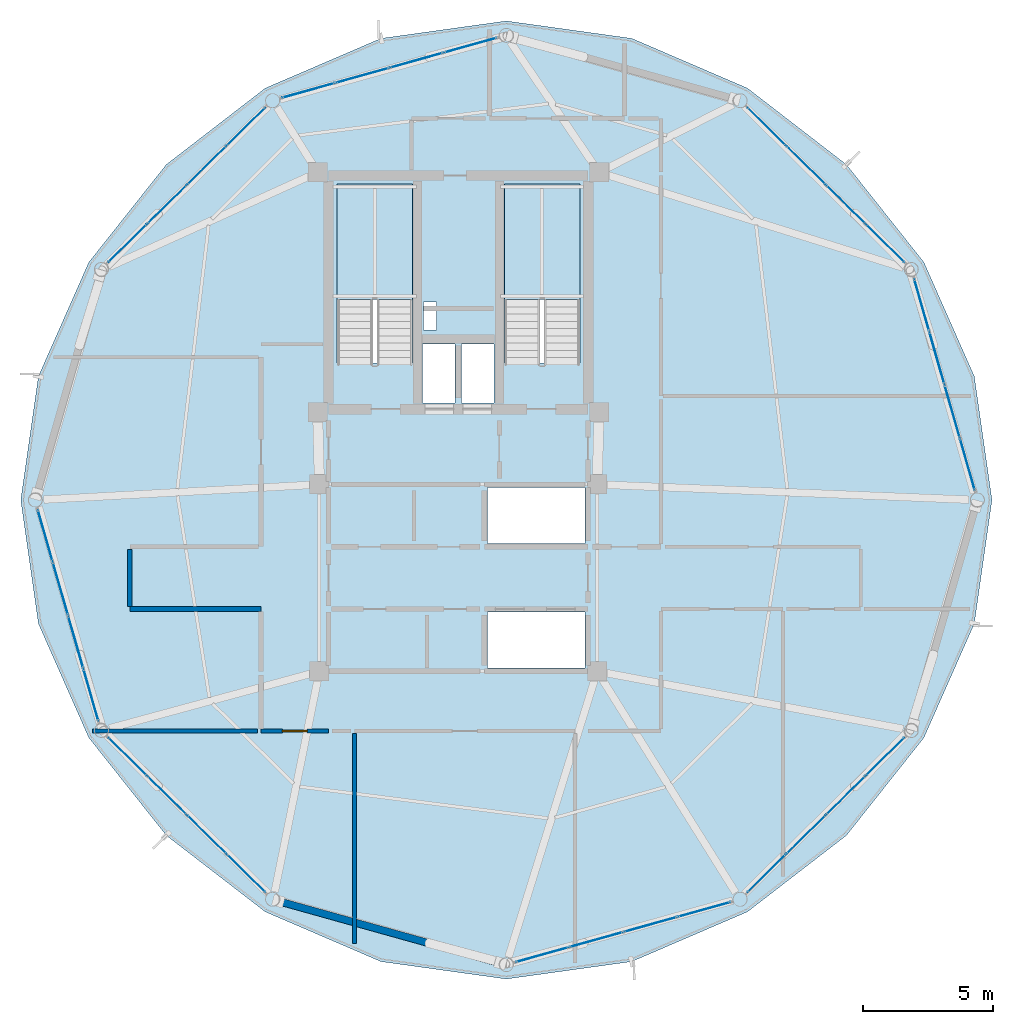
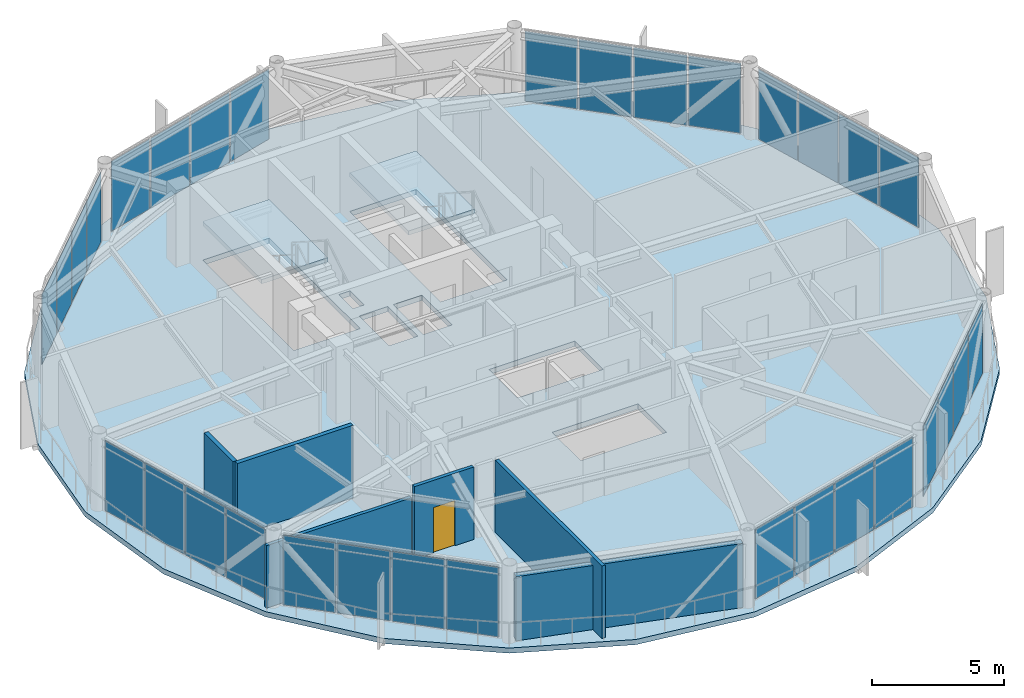
# One storey, part 20 of 26: 32 plates, 6 walls, 3 slabs, 1 door, 1 opening, 10 elements without a shape of their own.
"""IFC4 building model written with IfcOpenShell, lengths in metres."""

from ifc_helpers import new_model, si_unit, direction, frame, frame_2d, origin, origin_2d, place, context, subcontext, project, spatial, polyline, rectangle, outline, extrude, source, transform, mapped, material, layer, layer_set, type_object, type_shapes, element, fill, aggregate, save


model = new_model("IFC4")

# Units and contexts
model_context = context("Model", 3, precision=1e-05, world=origin(), true_north=direction((0.0, 1.0)))
body_context = subcontext(model_context, "Body", "Model", "MODEL_VIEW")
ifc_project = project(units=[si_unit("LENGTHUNIT", "METRE"), si_unit("AREAUNIT", "SQUARE_METRE"), si_unit("VOLUMEUNIT", "CUBIC_METRE"), si_unit("PLANEANGLEUNIT", "RADIAN"), si_unit("MASSUNIT", "GRAM", prefix="KILO")], contexts=[model_context])

# Site, building, storey
site_placement = place(None, origin())
site = spatial("IfcSite", under=ifc_project, at=site_placement, CompositionType="ELEMENT")
building_placement = place(site_placement, origin())
building = spatial("IfcBuilding", under=site, at=building_placement, Name="Varnakorn Sky Granary", CompositionType="ELEMENT")
storey_placement = place(building_placement, frame((0.0, 0.0, 267.0)))
storey = spatial("IfcBuildingStorey", under=building, at=storey_placement, Name="L68", CompositionType="ELEMENT", Elevation=267.0)

# Stair, slab
ifc_material_1 = material(Name="Concrete C40/50", Category="concrete")
stair_type = type_object("IfcStairType", Name="ST-MAIN-ASSEMBLY", PredefinedType="HALF_TURN_STAIR", material=ifc_material_1)
stair_1_placement = place(storey_placement, origin())
stair_1 = element("IfcStair", 1, at=stair_1_placement, inside=storey, type_object=stair_type, Name="L68 Protected Exit Stair ST-1", PredefinedType="HALF_TURN_STAIR")
ifc_layer_1 = layer(ifc_material_1, 0.199951171875, Name="Concrete C40/50")
ifc_layer_set_1 = layer_set([ifc_layer_1], Name="Concrete C40/50")
slab_type_1 = type_object("IfcSlabType", Name="ST-MAIN-LAND", PredefinedType="LANDING", material=ifc_layer_set_1)
slab_1_placement = place(storey_placement, frame((0.0, 0.0, 1.60009765625)))
slab_1 = element("IfcSlab", 2, at=slab_1_placement, type_object=slab_type_1, Name="ST-1 landing 1", PredefinedType="LANDING", context=body_context, shape_type="SweptSolid", body=[
    extrude(outline(polyline([(1.239990234375, 7.719970703125), (1.239990234375, 12.179931640625), (-1.669921875, 12.179931640625), (-1.669921875, 7.719970703125), (1.239990234375, 7.719970703125)])), origin(), (0.0, 0.0, 1.0), 0.199951171875),
])
aggregate(stair_1, [slab_1])

stair_2_placement = place(storey_placement, origin())
stair_2 = element("IfcStair", 3, at=stair_2_placement, inside=storey, type_object=stair_type, Name="L68 Protected Exit Stair ST-2", PredefinedType="HALF_TURN_STAIR")
slab_2_placement = place(storey_placement, frame((0.0, 0.0, 1.60009765625)))
slab_2 = element("IfcSlab", 4, at=slab_2_placement, type_object=slab_type_1, Name="ST-2 landing 1", PredefinedType="LANDING", context=body_context, shape_type="SweptSolid", body=[
    extrude(outline(polyline([(7.679931640625, 7.719970703125), (7.679931640625, 12.179931640625), (4.77001953125, 12.179931640625), (4.77001953125, 7.719970703125), (7.679931640625, 7.719970703125)])), origin(), (0.0, 0.0, 1.0), 0.199951171875),
])
aggregate(stair_2, [slab_2])

# Slab
ifc_material_2 = material(Name="Concrete C50/60", Category="concrete")
ifc_layer_2 = layer(ifc_material_2, 0.239990234375, Name="Concrete C50/60")
ifc_layer_set_2 = layer_set([ifc_layer_2], Name="Concrete C50/60")
slab_type_2 = type_object("IfcSlabType", Name="ST-SL-TWR-240", PredefinedType="FLOOR", material=ifc_layer_set_2)
slab_3_placement = place(storey_placement, frame((0.0, 0.0, -0.239990234375)))
element("IfcSlab", 5, at=slab_3_placement, inside=storey, type_object=slab_type_2, Name="Level L68 Structural Floor Slab", PredefinedType="FLOOR", context=body_context, shape_type="SweptSolid", body=[
    extrude(outline(polyline([(23.555908203125, 0.0), (22.875, 4.764404296875), (20.93310546875, 9.158935546875), (17.949951171875, 12.9208984375), (14.135498046875, 15.864013671875), (9.6796875, 17.78076171875), (4.85009765625, 18.452880859375), (0.020263671875, 17.78076171875), (-4.435546875, 15.864013671875), (-8.25, 12.9208984375), (-11.23291015625, 9.158935546875), (-13.175048828125, 4.764404296875), (-13.85595703125, 0.0), (-13.175048828125, -4.764404296875), (-11.23291015625, -9.158935546875), (-8.25, -12.9208984375), (-4.435546875, -15.864013671875), (0.020263671875, -17.78076171875), (4.85009765625, -18.452880859375), (9.6796875, -17.78076171875), (14.135498046875, -15.864013671875), (17.949951171875, -12.9208984375), (20.93310546875, -9.158935546875), (22.875, -4.764404296875), (23.555908203125, 0.0)]), holes=[polyline([(1.239990234375, 5.27490234375), (1.239990234375, 12.179931640625), (-1.669921875, 12.179931640625), (-1.669921875, 5.27490234375), (1.239990234375, 5.27490234375)]), polyline([(7.679931640625, 5.27490234375), (7.679931640625, 12.179931640625), (4.77001953125, 12.179931640625), (4.77001953125, 5.27490234375), (7.679931640625, 5.27490234375)]), polyline([(1.659912109375, 6.550048828125), (2.14990234375, 6.550048828125), (2.14990234375, 7.6201171875), (1.659912109375, 7.6201171875), (1.659912109375, 6.550048828125)]), polyline([(1.6201171875, 3.739990234375), (2.8798828125, 3.739990234375), (2.8798828125, 6.010009765625), (1.6201171875, 6.010009765625), (1.6201171875, 3.739990234375)]), polyline([(3.1201171875, 3.739990234375), (4.3798828125, 3.739990234375), (4.3798828125, 6.010009765625), (3.1201171875, 6.010009765625), (3.1201171875, 3.739990234375)]), polyline([(4.1201171875, -1.679931640625), (7.8798828125, -1.679931640625), (7.8798828125, 0.47998046875), (4.1201171875, 0.47998046875), (4.1201171875, -1.679931640625)]), polyline([(4.1201171875, -6.47998046875), (7.8798828125, -6.47998046875), (7.8798828125, -4.320068359375), (4.1201171875, -4.320068359375), (4.1201171875, -6.47998046875)])]), origin(), (0.0, 0.0, 1.0), 0.239990234375),
])

# Curtain wall, plates
ifc_material_3 = material(Name="Anodised Bronze Aluminium Alloy 6063-T6", Category="aluminium")
ifc_layer_3 = layer(ifc_material_3, 0.159912109375, Name="Anodised Bronze Aluminium Alloy 6063-T6")
ifc_layer_set_3 = layer_set([ifc_layer_3], Name="Anodised Bronze Aluminium Alloy 6063-T6")
curtain_wall_type = type_object("IfcCurtainWallType", Name="CW-OFF-1", PredefinedType="USERDEFINED", material=ifc_layer_set_3)
curtain_wall_1_placement = place(storey_placement, origin())
curtain_wall_1 = element("IfcCurtainWall", 6, at=curtain_wall_1_placement, inside=storey, type_object=curtain_wall_type, Name="Unitised Curtain Wall CW6 CW-L68-B04", ObjectType="CURTAIN WALL", PredefinedType="USERDEFINED")
ifc_material_4 = material(Name="Low-E Tinted Laminated Glass", Category="glass")
ifc_layer_4 = layer(ifc_material_4, 0.02392578125, Name="Low-E Tinted Laminated Glass")
ifc_layer_set_4 = layer_set([ifc_layer_4], Name="Low-E Tinted Laminated Glass")
plate_type = type_object("IfcPlateType", Name="CW-OFF-1-PNL", PredefinedType="CURTAIN_PANEL")
shared_shape_1 = source(origin(), body_context, "Body", "SweptSolid", [
    extrude(rectangle(XDim=2.071533203125, YDim=0.02392578125, at=origin_2d()), origin(), (0.0, 0.0, 1.0), 3.22998046875),
])
plate_1_placement = place(storey_placement, frame((-2.773193359375, 15.77490234375, 0.06494140625), z_axis=(0.0, 0.0, 1.0), x_axis=(0.963170827596, 0.268890232006, 0.0)))
plate_1 = element("IfcPlate", 7, at=plate_1_placement, type_object=plate_type, material=ifc_layer_set_4, Name="CW6 vision glazing unit 1.1", PredefinedType="CURTAIN_PANEL", context=body_context, shape_type="MappedRepresentation", body=[
    mapped(shared_shape_1, transform((0.0, 0.0, 0.0), x_axis=(1.0, 0.0, 0.0), y_axis=(0.0, 1.0, 0.0), z_axis=(0.0, 0.0, 1.0), scale=1.0)),
])
ifc_material_5 = material(Name="Opaque Insulated Aluminium Shadow-Box Unit", Category="aluminium")
ifc_layer_5 = layer(ifc_material_5, 0.02392578125, Name="Opaque Insulated Aluminium Shadow-Box Unit")
ifc_layer_set_5 = layer_set([ifc_layer_5], Name="Opaque Insulated Aluminium Shadow-Box Unit")
plate_2_placement = place(storey_placement, frame((3.462890625, 17.515625, 0.06494140625), z_axis=(0.0, 0.0, 1.0), x_axis=(0.963170827596, 0.268890232006, 0.0)))
plate_2 = element("IfcPlate", 8, at=plate_2_placement, type_object=plate_type, material=ifc_layer_set_5, Name="CW6 opaque insulated shadow-box unit 4.1", PredefinedType="CURTAIN_PANEL", context=body_context, shape_type="MappedRepresentation", body=[
    mapped(shared_shape_1, transform((0.0, 0.0, 0.0), x_axis=(1.0, 0.0, 0.0), y_axis=(0.0, 1.0, 0.0), z_axis=(0.0, 0.0, 1.0), scale=1.0)),
])

curtain_wall_2_placement = place(storey_placement, origin())
curtain_wall_2 = element("IfcCurtainWall", 9, at=curtain_wall_2_placement, inside=storey, type_object=curtain_wall_type, Name="Unitised Curtain Wall CW6 CW-L68-B10", ObjectType="CURTAIN WALL", PredefinedType="USERDEFINED")
plate_3_placement = place(storey_placement, frame((12.473388671875, -15.77490234375, 0.06494140625), z_axis=(0.0, 0.0, 1.0), x_axis=(-0.963170827596, -0.268890232006, 0.0)))
plate_3 = element("IfcPlate", 10, at=plate_3_placement, type_object=plate_type, material=ifc_layer_set_4, Name="CW6 vision glazing unit 1.1", PredefinedType="CURTAIN_PANEL", context=body_context, shape_type="MappedRepresentation", body=[
    mapped(shared_shape_1, transform((0.0, 0.0, 0.0), x_axis=(1.0, 0.0, 0.0), y_axis=(0.0, 1.0, 0.0), z_axis=(0.0, 0.0, 1.0), scale=1.0)),
])
plate_4_placement = place(storey_placement, frame((6.2373046875, -17.515625, 0.06494140625), z_axis=(0.0, 0.0, 1.0), x_axis=(-0.963170827596, -0.268890232006, 0.0)))
plate_4 = element("IfcPlate", 11, at=plate_4_placement, type_object=plate_type, material=ifc_layer_set_5, Name="CW6 opaque insulated shadow-box unit 4.1", PredefinedType="CURTAIN_PANEL", context=body_context, shape_type="MappedRepresentation", body=[
    mapped(shared_shape_1, transform((0.0, 0.0, 0.0), x_axis=(1.0, 0.0, 0.0), y_axis=(0.0, 1.0, 0.0), z_axis=(0.0, 0.0, 1.0), scale=1.0)),
])

# Plate
shared_shape_2 = source(origin(), body_context, "Body", "SweptSolid", [
    extrude(rectangle(XDim=2.10400390625, YDim=0.02392578125, at=origin_2d()), origin(), (0.0, 0.0, 1.0), 3.22998046875),
])
plate_5_placement = place(storey_placement, frame((-0.69970703125, 16.353515625, 0.06494140625), z_axis=(0.0, 0.0, 1.0), x_axis=(0.963170827596, 0.268890232006, 0.0)))
plate_5 = element("IfcPlate", 12, at=plate_5_placement, type_object=plate_type, material=ifc_layer_set_4, Name="CW6 vision glazing unit 2.1", PredefinedType="CURTAIN_PANEL", context=body_context, shape_type="MappedRepresentation", body=[
    mapped(shared_shape_2, transform((0.0, 0.0, 0.0), x_axis=(1.0, 0.0, 0.0), y_axis=(0.0, 1.0, 0.0), z_axis=(0.0, 0.0, 1.0), scale=1.0)),
])

plate_6_placement = place(storey_placement, frame((1.389404296875, 16.936767578125, 0.06494140625), z_axis=(0.0, 0.0, 1.0), x_axis=(0.963170827596, 0.268890232006, 0.0)))
plate_6 = element("IfcPlate", 13, at=plate_6_placement, type_object=plate_type, material=ifc_layer_set_5, Name="CW6 opaque insulated shadow-box unit 3.1", PredefinedType="CURTAIN_PANEL", context=body_context, shape_type="MappedRepresentation", body=[
    mapped(shared_shape_2, transform((0.0, 0.0, 0.0), x_axis=(1.0, 0.0, 0.0), y_axis=(0.0, 1.0, 0.0), z_axis=(0.0, 0.0, 1.0), scale=1.0)),
])

aggregate(curtain_wall_1, [plate_1, plate_5, plate_6, plate_2])

plate_7_placement = place(storey_placement, frame((10.39990234375, -16.353515625, 0.06494140625), z_axis=(0.0, 0.0, 1.0), x_axis=(-0.963170827596, -0.268890232006, 0.0)))
plate_7 = element("IfcPlate", 14, at=plate_7_placement, type_object=plate_type, material=ifc_layer_set_4, Name="CW6 vision glazing unit 2.1", PredefinedType="CURTAIN_PANEL", context=body_context, shape_type="MappedRepresentation", body=[
    mapped(shared_shape_2, transform((0.0, 0.0, 0.0), x_axis=(1.0, 0.0, 0.0), y_axis=(0.0, 1.0, 0.0), z_axis=(0.0, 0.0, 1.0), scale=1.0)),
])

plate_8_placement = place(storey_placement, frame((8.310791015625, -16.936767578125, 0.06494140625), z_axis=(0.0, 0.0, 1.0), x_axis=(-0.963170827596, -0.268890232006, 0.0)))
plate_8 = element("IfcPlate", 15, at=plate_8_placement, type_object=plate_type, material=ifc_layer_set_5, Name="CW6 opaque insulated shadow-box unit 3.1", PredefinedType="CURTAIN_PANEL", context=body_context, shape_type="MappedRepresentation", body=[
    mapped(shared_shape_2, transform((0.0, 0.0, 0.0), x_axis=(1.0, 0.0, 0.0), y_axis=(0.0, 1.0, 0.0), z_axis=(0.0, 0.0, 1.0), scale=1.0)),
])

aggregate(curtain_wall_2, [plate_3, plate_7, plate_8, plate_4])

# Curtain wall, plates
curtain_wall_3_placement = place(storey_placement, origin())
curtain_wall_3 = element("IfcCurtainWall", 16, at=curtain_wall_3_placement, inside=storey, type_object=curtain_wall_type, Name="Unitised Curtain Wall CW6 CW-L68-B01", ObjectType="CURTAIN WALL", PredefinedType="USERDEFINED")
shared_shape_3 = source(origin(), body_context, "Body", "SweptSolid", [
    extrude(rectangle(XDim=2.04345703125, YDim=0.02392578125, at=origin_2d()), origin(), (0.0, 0.0, 1.0), 3.22998046875),
])
plate_9_placement = place(storey_placement, frame((20.849853515625, 7.51318359375, 0.06494140625), z_axis=(0.0, 0.0, 1.0), x_axis=(0.275840638274, -0.961203382368, 0.0)))
plate_9 = element("IfcPlate", 17, at=plate_9_placement, type_object=plate_type, material=ifc_layer_set_5, Name="CW6 opaque insulated shadow-box unit 1.1", PredefinedType="CURTAIN_PANEL", context=body_context, shape_type="MappedRepresentation", body=[
    mapped(shared_shape_3, transform((0.0, 0.0, 0.0), x_axis=(1.0, 0.0, 0.0), y_axis=(0.0, 1.0, 0.0), z_axis=(0.0, 0.0, 1.0), scale=1.0)),
])
plate_10_placement = place(storey_placement, frame((22.612548828125, 1.370849609375, 0.06494140625), z_axis=(0.0, 0.0, 1.0), x_axis=(0.275840638274, -0.961203382368, 0.0)))
plate_10 = element("IfcPlate", 18, at=plate_10_placement, type_object=plate_type, material=ifc_layer_set_4, Name="CW6 vision glazing unit 4.1", PredefinedType="CURTAIN_PANEL", context=body_context, shape_type="MappedRepresentation", body=[
    mapped(shared_shape_3, transform((0.0, 0.0, 0.0), x_axis=(1.0, 0.0, 0.0), y_axis=(0.0, 1.0, 0.0), z_axis=(0.0, 0.0, 1.0), scale=1.0)),
])

curtain_wall_4_placement = place(storey_placement, origin())
curtain_wall_4 = element("IfcCurtainWall", 19, at=curtain_wall_4_placement, inside=storey, type_object=curtain_wall_type, Name="Unitised Curtain Wall CW6 CW-L68-B07", ObjectType="CURTAIN WALL", PredefinedType="USERDEFINED")
plate_11_placement = place(storey_placement, frame((-11.14990234375, -7.51318359375, 0.06494140625), z_axis=(0.0, 0.0, 1.0), x_axis=(-0.275840638274, 0.961203382368, 0.0)))
plate_11 = element("IfcPlate", 20, at=plate_11_placement, type_object=plate_type, material=ifc_layer_set_5, Name="CW6 opaque insulated shadow-box unit 1.1", PredefinedType="CURTAIN_PANEL", context=body_context, shape_type="MappedRepresentation", body=[
    mapped(shared_shape_3, transform((0.0, 0.0, 0.0), x_axis=(1.0, 0.0, 0.0), y_axis=(0.0, 1.0, 0.0), z_axis=(0.0, 0.0, 1.0), scale=1.0)),
])
plate_12_placement = place(storey_placement, frame((-12.91259765625, -1.370849609375, 0.06494140625), z_axis=(0.0, 0.0, 1.0), x_axis=(-0.275840638274, 0.961203382368, 0.0)))
plate_12 = element("IfcPlate", 21, at=plate_12_placement, type_object=plate_type, material=ifc_layer_set_4, Name="CW6 vision glazing unit 4.1", PredefinedType="CURTAIN_PANEL", context=body_context, shape_type="MappedRepresentation", body=[
    mapped(shared_shape_3, transform((0.0, 0.0, 0.0), x_axis=(1.0, 0.0, 0.0), y_axis=(0.0, 1.0, 0.0), z_axis=(0.0, 0.0, 1.0), scale=1.0)),
])

# Plate
shared_shape_4 = source(origin(), body_context, "Body", "SweptSolid", [
    extrude(rectangle(XDim=2.075927734375, YDim=0.02392578125, at=origin_2d()), origin(), (0.0, 0.0, 1.0), 3.22998046875),
])
plate_13_placement = place(storey_placement, frame((21.43603515625, 5.470947265625, 0.06494140625), z_axis=(0.0, 0.0, 1.0), x_axis=(0.275840638274, -0.961203382368, 0.0)))
plate_13 = element("IfcPlate", 22, at=plate_13_placement, type_object=plate_type, material=ifc_layer_set_5, Name="CW6 opaque insulated shadow-box unit 2.1", PredefinedType="CURTAIN_PANEL", context=body_context, shape_type="MappedRepresentation", body=[
    mapped(shared_shape_4, transform((0.0, 0.0, 0.0), x_axis=(1.0, 0.0, 0.0), y_axis=(0.0, 1.0, 0.0), z_axis=(0.0, 0.0, 1.0), scale=1.0)),
])

plate_14_placement = place(storey_placement, frame((22.026611328125, 3.4130859375, 0.06494140625), z_axis=(0.0, 0.0, 1.0), x_axis=(0.275840638274, -0.961203382368, 0.0)))
plate_14 = element("IfcPlate", 23, at=plate_14_placement, type_object=plate_type, material=ifc_layer_set_4, Name="CW6 vision glazing unit 3.1", PredefinedType="CURTAIN_PANEL", context=body_context, shape_type="MappedRepresentation", body=[
    mapped(shared_shape_4, transform((0.0, 0.0, 0.0), x_axis=(1.0, 0.0, 0.0), y_axis=(0.0, 1.0, 0.0), z_axis=(0.0, 0.0, 1.0), scale=1.0)),
])

aggregate(curtain_wall_3, [plate_9, plate_13, plate_14, plate_10])

plate_15_placement = place(storey_placement, frame((-11.736083984375, -5.470947265625, 0.06494140625), z_axis=(0.0, 0.0, 1.0), x_axis=(-0.275840638274, 0.961203382368, 0.0)))
plate_15 = element("IfcPlate", 24, at=plate_15_placement, type_object=plate_type, material=ifc_layer_set_5, Name="CW6 opaque insulated shadow-box unit 2.1", PredefinedType="CURTAIN_PANEL", context=body_context, shape_type="MappedRepresentation", body=[
    mapped(shared_shape_4, transform((0.0, 0.0, 0.0), x_axis=(1.0, 0.0, 0.0), y_axis=(0.0, 1.0, 0.0), z_axis=(0.0, 0.0, 1.0), scale=1.0)),
])

plate_16_placement = place(storey_placement, frame((-12.32666015625, -3.4130859375, 0.06494140625), z_axis=(0.0, 0.0, 1.0), x_axis=(-0.275840638274, 0.961203382368, 0.0)))
plate_16 = element("IfcPlate", 25, at=plate_16_placement, type_object=plate_type, material=ifc_layer_set_4, Name="CW6 vision glazing unit 3.1", PredefinedType="CURTAIN_PANEL", context=body_context, shape_type="MappedRepresentation", body=[
    mapped(shared_shape_4, transform((0.0, 0.0, 0.0), x_axis=(1.0, 0.0, 0.0), y_axis=(0.0, 1.0, 0.0), z_axis=(0.0, 0.0, 1.0), scale=1.0)),
])

aggregate(curtain_wall_4, [plate_11, plate_15, plate_16, plate_12])

# Curtain wall, plates
curtain_wall_5_placement = place(storey_placement, origin())
curtain_wall_5 = element("IfcCurtainWall", 26, at=curtain_wall_5_placement, inside=storey, type_object=curtain_wall_type, Name="Unitised Curtain Wall CW6 CW-L68-B02", ObjectType="CURTAIN WALL", PredefinedType="USERDEFINED")
shared_shape_5 = source(origin(), body_context, "Body", "SweptSolid", [
    extrude(rectangle(XDim=2.048583984375, YDim=0.02392578125, at=origin_2d()), origin(), (0.0, 0.0, 1.0), 3.22998046875),
])
plate_17_placement = place(storey_placement, frame((14.8779296875, 14.38427734375, 0.06494140625), z_axis=(0.0, 0.0, 1.0), x_axis=(0.71208683319, -0.702091405728, 0.0)))
plate_17 = element("IfcPlate", 27, at=plate_17_placement, type_object=plate_type, material=ifc_layer_set_4, Name="CW6 vision glazing unit 1.1", PredefinedType="CURTAIN_PANEL", context=body_context, shape_type="MappedRepresentation", body=[
    mapped(shared_shape_5, transform((0.0, 0.0, 0.0), x_axis=(1.0, 0.0, 0.0), y_axis=(0.0, 1.0, 0.0), z_axis=(0.0, 0.0, 1.0), scale=1.0)),
])
plate_18_placement = place(storey_placement, frame((19.439208984375, 9.88720703125, 0.06494140625), z_axis=(0.0, 0.0, 1.0), x_axis=(0.71208683319, -0.702091405728, 0.0)))
plate_18 = element("IfcPlate", 28, at=plate_18_placement, type_object=plate_type, material=ifc_layer_set_5, Name="CW6 opaque insulated shadow-box unit 4.1", PredefinedType="CURTAIN_PANEL", context=body_context, shape_type="MappedRepresentation", body=[
    mapped(shared_shape_5, transform((0.0, 0.0, 0.0), x_axis=(1.0, 0.0, 0.0), y_axis=(0.0, 1.0, 0.0), z_axis=(0.0, 0.0, 1.0), scale=1.0)),
])

curtain_wall_6_placement = place(storey_placement, origin())
curtain_wall_6 = element("IfcCurtainWall", 29, at=curtain_wall_6_placement, inside=storey, type_object=curtain_wall_type, Name="Unitised Curtain Wall CW6 CW-L68-B05", ObjectType="CURTAIN WALL", PredefinedType="USERDEFINED")
plate_19_placement = place(storey_placement, frame((-9.7392578125, 9.88720703125, 0.06494140625), z_axis=(0.0, 0.0, 1.0), x_axis=(0.71208683319, 0.702091405728, 0.0)))
plate_19 = element("IfcPlate", 30, at=plate_19_placement, type_object=plate_type, material=ifc_layer_set_5, Name="CW6 opaque insulated shadow-box unit 1.1", PredefinedType="CURTAIN_PANEL", context=body_context, shape_type="MappedRepresentation", body=[
    mapped(shared_shape_5, transform((0.0, 0.0, 0.0), x_axis=(1.0, 0.0, 0.0), y_axis=(0.0, 1.0, 0.0), z_axis=(0.0, 0.0, 1.0), scale=1.0)),
])
plate_20_placement = place(storey_placement, frame((-5.177978515625, 14.38427734375, 0.06494140625), z_axis=(0.0, 0.0, 1.0), x_axis=(0.71208683319, 0.702091405728, 0.0)))
plate_20 = element("IfcPlate", 31, at=plate_20_placement, type_object=plate_type, material=ifc_layer_set_4, Name="CW6 vision glazing unit 4.1", PredefinedType="CURTAIN_PANEL", context=body_context, shape_type="MappedRepresentation", body=[
    mapped(shared_shape_5, transform((0.0, 0.0, 0.0), x_axis=(1.0, 0.0, 0.0), y_axis=(0.0, 1.0, 0.0), z_axis=(0.0, 0.0, 1.0), scale=1.0)),
])

curtain_wall_7_placement = place(storey_placement, origin())
curtain_wall_7 = element("IfcCurtainWall", 32, at=curtain_wall_7_placement, inside=storey, type_object=curtain_wall_type, Name="Unitised Curtain Wall CW6 CW-L68-B08", ObjectType="CURTAIN WALL", PredefinedType="USERDEFINED")
plate_21_placement = place(storey_placement, frame((-5.177978515625, -14.38427734375, 0.06494140625), z_axis=(0.0, 0.0, 1.0), x_axis=(-0.71208683319, 0.702091405728, 0.0)))
plate_21 = element("IfcPlate", 33, at=plate_21_placement, type_object=plate_type, material=ifc_layer_set_4, Name="CW6 vision glazing unit 1.1", PredefinedType="CURTAIN_PANEL", context=body_context, shape_type="MappedRepresentation", body=[
    mapped(shared_shape_5, transform((0.0, 0.0, 0.0), x_axis=(1.0, 0.0, 0.0), y_axis=(0.0, 1.0, 0.0), z_axis=(0.0, 0.0, 1.0), scale=1.0)),
])
plate_22_placement = place(storey_placement, frame((-9.7392578125, -9.88720703125, 0.06494140625), z_axis=(0.0, 0.0, 1.0), x_axis=(-0.71208683319, 0.702091405728, 0.0)))
plate_22 = element("IfcPlate", 34, at=plate_22_placement, type_object=plate_type, material=ifc_layer_set_5, Name="CW6 opaque insulated shadow-box unit 4.1", PredefinedType="CURTAIN_PANEL", context=body_context, shape_type="MappedRepresentation", body=[
    mapped(shared_shape_5, transform((0.0, 0.0, 0.0), x_axis=(1.0, 0.0, 0.0), y_axis=(0.0, 1.0, 0.0), z_axis=(0.0, 0.0, 1.0), scale=1.0)),
])

curtain_wall_8_placement = place(storey_placement, origin())
curtain_wall_8 = element("IfcCurtainWall", 35, at=curtain_wall_8_placement, inside=storey, type_object=curtain_wall_type, Name="Unitised Curtain Wall CW6 CW-L68-B11", ObjectType="CURTAIN WALL", PredefinedType="USERDEFINED")
plate_23_placement = place(storey_placement, frame((19.439208984375, -9.88720703125, 0.06494140625), z_axis=(0.0, 0.0, 1.0), x_axis=(-0.71208683319, -0.702091405728, 0.0)))
plate_23 = element("IfcPlate", 36, at=plate_23_placement, type_object=plate_type, material=ifc_layer_set_5, Name="CW6 opaque insulated shadow-box unit 1.1", PredefinedType="CURTAIN_PANEL", context=body_context, shape_type="MappedRepresentation", body=[
    mapped(shared_shape_5, transform((0.0, 0.0, 0.0), x_axis=(1.0, 0.0, 0.0), y_axis=(0.0, 1.0, 0.0), z_axis=(0.0, 0.0, 1.0), scale=1.0)),
])
plate_24_placement = place(storey_placement, frame((14.8779296875, -14.38427734375, 0.06494140625), z_axis=(0.0, 0.0, 1.0), x_axis=(-0.71208683319, -0.702091405728, 0.0)))
plate_24 = element("IfcPlate", 37, at=plate_24_placement, type_object=plate_type, material=ifc_layer_set_4, Name="CW6 vision glazing unit 4.1", PredefinedType="CURTAIN_PANEL", context=body_context, shape_type="MappedRepresentation", body=[
    mapped(shared_shape_5, transform((0.0, 0.0, 0.0), x_axis=(1.0, 0.0, 0.0), y_axis=(0.0, 1.0, 0.0), z_axis=(0.0, 0.0, 1.0), scale=1.0)),
])

# Plate
shared_shape_6 = source(origin(), body_context, "Body", "SweptSolid", [
    extrude(rectangle(XDim=2.0810546875, YDim=0.02392578125, at=origin_2d()), origin(), (0.0, 0.0, 1.0), 3.22998046875),
])
type_shapes(plate_type, [shared_shape_1, shared_shape_2, shared_shape_3, shared_shape_4, shared_shape_5, shared_shape_6])
plate_25_placement = place(storey_placement, frame((16.39453125, 12.88916015625, 0.06494140625), z_axis=(0.0, 0.0, 1.0), x_axis=(0.71208683319, -0.702091405728, 0.0)))
plate_25 = element("IfcPlate", 38, at=plate_25_placement, type_object=plate_type, material=ifc_layer_set_4, Name="CW6 vision glazing unit 2.1", PredefinedType="CURTAIN_PANEL", context=body_context, shape_type="MappedRepresentation", body=[
    mapped(shared_shape_6, transform((0.0, 0.0, 0.0), x_axis=(1.0, 0.0, 0.0), y_axis=(0.0, 1.0, 0.0), z_axis=(0.0, 0.0, 1.0), scale=1.0)),
])

plate_26_placement = place(storey_placement, frame((17.922607421875, 11.38232421875, 0.06494140625), z_axis=(0.0, 0.0, 1.0), x_axis=(0.71208683319, -0.702091405728, 0.0)))
plate_26 = element("IfcPlate", 39, at=plate_26_placement, type_object=plate_type, material=ifc_layer_set_5, Name="CW6 opaque insulated shadow-box unit 3.1", PredefinedType="CURTAIN_PANEL", context=body_context, shape_type="MappedRepresentation", body=[
    mapped(shared_shape_6, transform((0.0, 0.0, 0.0), x_axis=(1.0, 0.0, 0.0), y_axis=(0.0, 1.0, 0.0), z_axis=(0.0, 0.0, 1.0), scale=1.0)),
])

aggregate(curtain_wall_5, [plate_17, plate_25, plate_26, plate_18])

plate_27_placement = place(storey_placement, frame((-8.22265625, 11.38232421875, 0.06494140625), z_axis=(0.0, 0.0, 1.0), x_axis=(0.71208683319, 0.702091405728, 0.0)))
plate_27 = element("IfcPlate", 40, at=plate_27_placement, type_object=plate_type, material=ifc_layer_set_5, Name="CW6 opaque insulated shadow-box unit 2.1", PredefinedType="CURTAIN_PANEL", context=body_context, shape_type="MappedRepresentation", body=[
    mapped(shared_shape_6, transform((0.0, 0.0, 0.0), x_axis=(1.0, 0.0, 0.0), y_axis=(0.0, 1.0, 0.0), z_axis=(0.0, 0.0, 1.0), scale=1.0)),
])

plate_28_placement = place(storey_placement, frame((-6.694580078125, 12.88916015625, 0.06494140625), z_axis=(0.0, 0.0, 1.0), x_axis=(0.71208683319, 0.702091405728, 0.0)))
plate_28 = element("IfcPlate", 41, at=plate_28_placement, type_object=plate_type, material=ifc_layer_set_4, Name="CW6 vision glazing unit 3.1", PredefinedType="CURTAIN_PANEL", context=body_context, shape_type="MappedRepresentation", body=[
    mapped(shared_shape_6, transform((0.0, 0.0, 0.0), x_axis=(1.0, 0.0, 0.0), y_axis=(0.0, 1.0, 0.0), z_axis=(0.0, 0.0, 1.0), scale=1.0)),
])

aggregate(curtain_wall_6, [plate_19, plate_27, plate_28, plate_20])

plate_29_placement = place(storey_placement, frame((-6.694580078125, -12.88916015625, 0.06494140625), z_axis=(0.0, 0.0, 1.0), x_axis=(-0.71208683319, 0.702091405728, 0.0)))
plate_29 = element("IfcPlate", 42, at=plate_29_placement, type_object=plate_type, material=ifc_layer_set_4, Name="CW6 vision glazing unit 2.1", PredefinedType="CURTAIN_PANEL", context=body_context, shape_type="MappedRepresentation", body=[
    mapped(shared_shape_6, transform((0.0, 0.0, 0.0), x_axis=(1.0, 0.0, 0.0), y_axis=(0.0, 1.0, 0.0), z_axis=(0.0, 0.0, 1.0), scale=1.0)),
])

plate_30_placement = place(storey_placement, frame((-8.22265625, -11.38232421875, 0.06494140625), z_axis=(0.0, 0.0, 1.0), x_axis=(-0.71208683319, 0.702091405728, 0.0)))
plate_30 = element("IfcPlate", 43, at=plate_30_placement, type_object=plate_type, material=ifc_layer_set_5, Name="CW6 opaque insulated shadow-box unit 3.1", PredefinedType="CURTAIN_PANEL", context=body_context, shape_type="MappedRepresentation", body=[
    mapped(shared_shape_6, transform((0.0, 0.0, 0.0), x_axis=(1.0, 0.0, 0.0), y_axis=(0.0, 1.0, 0.0), z_axis=(0.0, 0.0, 1.0), scale=1.0)),
])

aggregate(curtain_wall_7, [plate_21, plate_29, plate_30, plate_22])

plate_31_placement = place(storey_placement, frame((17.922607421875, -11.38232421875, 0.06494140625), z_axis=(0.0, 0.0, 1.0), x_axis=(-0.71208683319, -0.702091405728, 0.0)))
plate_31 = element("IfcPlate", 44, at=plate_31_placement, type_object=plate_type, material=ifc_layer_set_5, Name="CW6 opaque insulated shadow-box unit 2.1", PredefinedType="CURTAIN_PANEL", context=body_context, shape_type="MappedRepresentation", body=[
    mapped(shared_shape_6, transform((0.0, 0.0, 0.0), x_axis=(1.0, 0.0, 0.0), y_axis=(0.0, 1.0, 0.0), z_axis=(0.0, 0.0, 1.0), scale=1.0)),
])

plate_32_placement = place(storey_placement, frame((16.39453125, -12.88916015625, 0.06494140625), z_axis=(0.0, 0.0, 1.0), x_axis=(-0.71208683319, -0.702091405728, 0.0)))
plate_32 = element("IfcPlate", 45, at=plate_32_placement, type_object=plate_type, material=ifc_layer_set_4, Name="CW6 vision glazing unit 3.1", PredefinedType="CURTAIN_PANEL", context=body_context, shape_type="MappedRepresentation", body=[
    mapped(shared_shape_6, transform((0.0, 0.0, 0.0), x_axis=(1.0, 0.0, 0.0), y_axis=(0.0, 1.0, 0.0), z_axis=(0.0, 0.0, 1.0), scale=1.0)),
])

aggregate(curtain_wall_8, [plate_23, plate_31, plate_32, plate_24])

# Wall
ifc_material_6 = material(Name="Precast concrete C40/50", Category="concrete")
ifc_layer_6 = layer(ifc_material_6, 0.280029296875, Name="Precast concrete C40/50")
ifc_layer_set_6 = layer_set([ifc_layer_6], Name="Precast concrete C40/50")
wall_type_1 = type_object("IfcWallType", Name="WT-EW-CRN-280", PredefinedType="SOLIDWALL", material=ifc_layer_set_6)
wall_1_placement = place(storey_placement, frame((4.6240234375, -17.83984375, 0.0), z_axis=(0.0, 0.0, 1.0), x_axis=(-0.963175454127, 0.268873659119, 0.0)))
element("IfcWall", 46, at=wall_1_placement, inside=storey, type_object=wall_type_1, Name="Agritech Insulated Precast Facade Wall L68-P09", PredefinedType="SOLIDWALL", context=body_context, shape_type="SweptSolid", body=[
    extrude(rectangle(XDim=8.8857421875, YDim=0.280029296875, at=frame_2d((4.44287109375, 0.0))), origin(), (0.0, 0.0, 1.0), 2.969970703125),
])

# Wall, opening, door
ifc_material_7 = material(Name="Gypsum Plasterboard on Steel Stud", Category="steel")
ifc_layer_7 = layer(ifc_material_7, 0.14990234375, Name="Gypsum Plasterboard on Steel Stud")
ifc_layer_set_7 = layer_set([ifc_layer_7], Name="Gypsum Plasterboard on Steel Stud")
wall_type_2 = type_object("IfcWallType", Name="WT-PART-150", PredefinedType="PARTITIONING", material=ifc_layer_set_7)
wall_2_placement = place(storey_placement, frame((-4.60009765625, -8.89990234375, 0.0), z_axis=(0.0, 0.0, 1.0), x_axis=(1.0, 0.0, 0.0)))
wall_2 = element("IfcWall", 47, at=wall_2_placement, inside=storey, type_object=wall_type_2, Name="Interior Partition Wall L68-020", PredefinedType="PARTITIONING", context=body_context, shape_type="SweptSolid", body=[
    extrude(rectangle(XDim=2.60009765625, YDim=0.14990234375, at=frame_2d((1.300048828125, 0.0))), origin(), (0.0, 0.0, 1.0), 3.360107421875),
])
opening_placement = place(wall_2_placement, frame((0.824951171875, 0.0, 0.0)))
opening = element("IfcOpeningElement", 48, at=opening_placement, cuts=wall_2, Name="Opening ID-95", PredefinedType="OPENING", context=body_context, shape_type="SweptSolid", body=[
    extrude(rectangle(XDim=0.949951171875, YDim=2.10009765625, at=frame_2d((0.47509765625, 1.050048828125))), frame((0.0, 0.0849609375, 0.0), z_axis=(0.0, -1.0, 0.0), x_axis=(1.0, 0.0, 0.0)), (0.0, 0.0, 1.0), 0.169921875),
])
ifc_material_8 = material(Name="Solid-Core Teak Veneer Leaf", Category="timber")
door_type = type_object("IfcDoorType", Name="DR-INT-950", OperationType="NOTDEFINED", PredefinedType="DOOR", material=ifc_material_8)
door_placement = place(opening_placement, origin())
door = element("IfcDoor", 49, at=door_placement, inside=storey, type_object=door_type, Name="Interior Door L68-020-1", OperationType="SINGLE_SWING_LEFT", OverallHeight=2.10009765625, OverallWidth=0.949951171875, PredefinedType="DOOR", context=body_context, shape_type="SweptSolid", body=[
    extrude(rectangle(XDim=0.949951171875, YDim=2.10009765625, at=frame_2d((0.47509765625, 1.050048828125))), frame((0.0, 0.02490234375, 0.0), z_axis=(0.0, -1.0, 0.0), x_axis=(1.0, 0.0, 0.0)), (0.0, 0.0, 1.0), 0.050048828125),
])
fill(opening, door)

# Walls
wall_3_placement = place(storey_placement, frame((-1.0, -8.985107421875, 0.0), z_axis=(0.0, 0.0, 1.0), x_axis=(0.0, -1.0, 0.0)))
element("IfcWall", 50, at=wall_3_placement, inside=storey, type_object=wall_type_2, Name="Interior Partition Wall L68-036", PredefinedType="PARTITIONING", context=body_context, shape_type="SweptSolid", body=[
    extrude(rectangle(XDim=8.097900390625, YDim=0.14990234375, at=frame_2d((4.048828125, 0.0))), origin(), (0.0, 0.0, 1.0), 3.360107421875),
])
wall_4_placement = place(storey_placement, frame((-11.0869140625, -8.89990234375, 0.0), z_axis=(0.0, 0.0, 1.0), x_axis=(1.0, 0.0, 0.0)))
element("IfcWall", 51, at=wall_4_placement, inside=storey, type_object=wall_type_2, Name="Interior Partition Wall L68-037", PredefinedType="PARTITIONING", context=body_context, shape_type="SweptSolid", body=[
    extrude(rectangle(XDim=6.351806640625, YDim=0.14990234375, at=frame_2d((3.17578125, 0.0))), origin(), (0.0, 0.0, 1.0), 2.89208984375),
])
ifc_material_9 = material(Name="Moisture-Resistant Gypsum on Stud", Category="gypsum")
ifc_layer_8 = layer(ifc_material_9, 0.179931640625, Name="Moisture-Resistant Gypsum on Stud")
ifc_layer_set_8 = layer_set([ifc_layer_8], Name="Moisture-Resistant Gypsum on Stud")
wall_type_3 = type_object("IfcWallType", Name="WT-PLUMB-180", PredefinedType="PLUMBINGWALL", material=ifc_layer_set_8)
wall_5_placement = place(storey_placement, frame((-9.656005859375, -4.199951171875, 0.0), z_axis=(0.0, 0.0, 1.0), x_axis=(1.0, 0.0, 0.0)))
element("IfcWall", 52, at=wall_5_placement, inside=storey, type_object=wall_type_3, Name="Interior Partition Wall L68-045", PredefinedType="PLUMBINGWALL", context=body_context, shape_type="SweptSolid", body=[
    extrude(rectangle(XDim=5.055908203125, YDim=0.179931640625, at=frame_2d((2.52783203125, 0.0))), origin(), (0.0, 0.0, 1.0), 3.360107421875),
])
wall_6_placement = place(storey_placement, frame((-9.656005859375, -1.89990234375, 0.0), z_axis=(0.0, 0.0, 1.0), x_axis=(0.0, -1.0, 0.0)))
element("IfcWall", 53, at=wall_6_placement, inside=storey, type_object=wall_type_3, Name="Interior Partition Wall L68-046", PredefinedType="PLUMBINGWALL", context=body_context, shape_type="SweptSolid", body=[
    extrude(rectangle(XDim=2.2001953125, YDim=0.179931640625, at=frame_2d((1.10009765625, 0.0))), origin(), (0.0, 0.0, 1.0), 3.360107421875),
])

save(model, "model.ifc")
